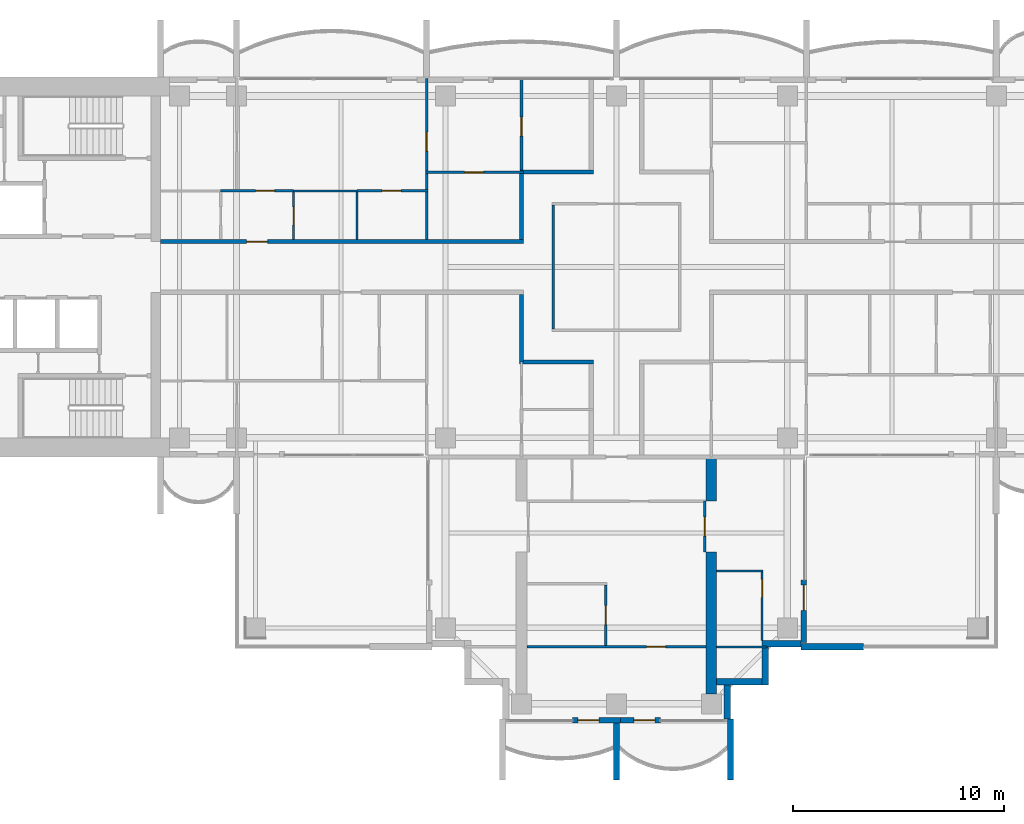
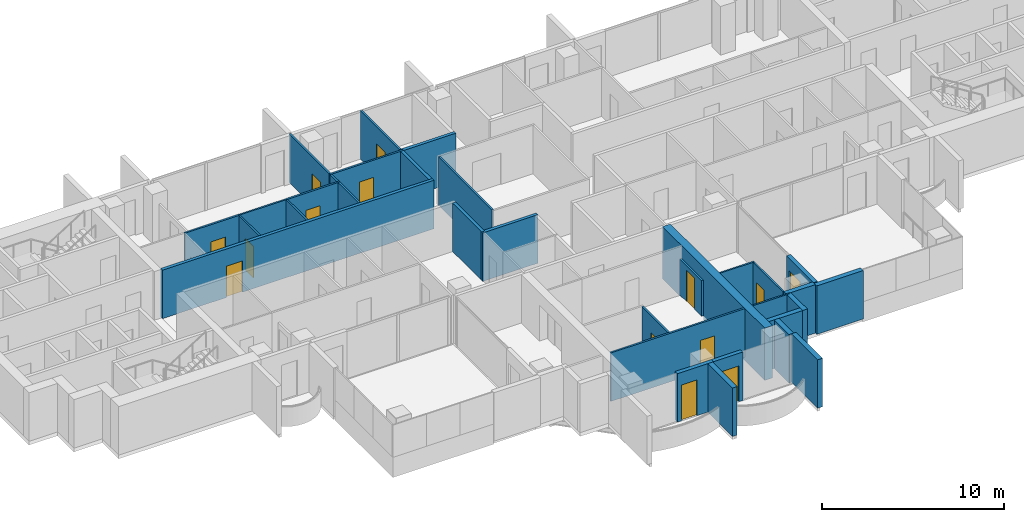
# One storey, part 10 of 17: 31 walls, 14 doors, 14 openings.
"""IFC4 building model written with IfcOpenShell, lengths in metres."""

from ifc_helpers import new_model, si_unit, direction, frame, frame_2d, origin, place, context, subcontext, project, spatial, polyline, rectangle, outline, extrude, material, layer, layer_set, material_profile, profile_set, type_object, element, fill, save


model = new_model("IFC4")

# Units and contexts
model_context = context("Model", 3, precision=1e-05, world=origin(), true_north=direction((0.0, 1.0)))
body_context = subcontext(model_context, "Body", "Model", "MODEL_VIEW")
ifc_project = project(units=[si_unit("LENGTHUNIT", "METRE"), si_unit("AREAUNIT", "SQUARE_METRE"), si_unit("VOLUMEUNIT", "CUBIC_METRE"), si_unit("PLANEANGLEUNIT", "RADIAN"), si_unit("MASSUNIT", "GRAM", prefix="KILO")], contexts=[model_context])

# Site, building, storey
site_placement = place(None, origin())
site = spatial("IfcSite", under=ifc_project, at=site_placement, CompositionType="ELEMENT")
building_placement = place(site_placement, origin())
building = spatial("IfcBuilding", under=site, at=building_placement, Name="Perihelion Cross Residences", CompositionType="ELEMENT")
storey_placement = place(building_placement, frame((0.0, 0.0, 212.10009765625)))
storey = spatial("IfcBuildingStorey", under=building, at=storey_placement, Name="L53", CompositionType="ELEMENT", Elevation=212.10009765625)

# Wall, opening, door
ifc_material_1 = material(Name="Plasterboard partition")
ifc_layer_1 = layer(ifc_material_1, 0.199951171875)
ifc_layer_set_1 = layer_set([ifc_layer_1], Name="Apartment separation wall 200")
wall_type_1 = type_object("IfcWallType", Name="Apartment separation wall 200", PredefinedType="PARTITIONING", material=ifc_layer_set_1)
wall_1_placement = place(storey_placement, frame((-21.60009765625, 1.199951171875, 0.0), z_axis=(0.0, 0.0, 1.0), x_axis=(1.0, 0.0, 0.0)))
wall_1 = element("IfcWall", 1, at=wall_1_placement, inside=storey, type_object=wall_type_1, Name="Partition L53 W013", PredefinedType="PARTITIONING", context=body_context, shape_type="SweptSolid", body=[
    extrude(rectangle(XDim=17.2001953125, YDim=0.199951171875, at=frame_2d((8.60009765625, 0.0))), origin(), (0.0, 0.0, 1.0), 3.25),
])
opening_1_placement = place(wall_1_placement, frame((4.074951171875, 0.0, 0.0)))
opening_1 = element("IfcOpeningElement", 2, at=opening_1_placement, cuts=wall_1, Name="Opening L53.A43", PredefinedType="OPENING", context=body_context, shape_type="SweptSolid", body=[
    extrude(rectangle(XDim=1.0, YDim=2.10009765625, at=frame_2d((0.5, 1.050048828125))), frame((0.0, 0.10986328125, 0.0), z_axis=(0.0, -1.0, 0.0), x_axis=(1.0, 0.0, 0.0)), (0.0, 0.0, 1.0), 0.219970703125),
])
ifc_material_2 = material(Name="Timber door leaf", Category="wood")
door_type_1 = type_object("IfcDoorType", Name="Flat entrance door 1000 x 2100", OperationType="SINGLE_SWING_LEFT", PredefinedType="DOOR", material=ifc_material_2)
door_1_placement = place(opening_1_placement, origin())
door_1 = element("IfcDoor", 3, at=door_1_placement, inside=storey, type_object=door_type_1, Name="Door L53.A43", OperationType="SINGLE_SWING_LEFT", OverallHeight=2.10009765625, OverallWidth=1.0, PredefinedType="DOOR", context=body_context, shape_type="SweptSolid", body=[
    extrude(rectangle(XDim=1.0, YDim=2.10009765625, at=frame_2d((0.5, 1.050048828125))), frame((0.0, 0.02490234375, 0.0), z_axis=(0.0, -1.0, 0.0), x_axis=(1.0, 0.0, 0.0)), (0.0, 0.0, 1.0), 0.050048828125),
])
fill(opening_1, door_1)

# Walls
wall_2_placement = place(storey_placement, frame((-4.5, 1.300048828125, 0.0), z_axis=(0.0, 0.0, 1.0), x_axis=(0.0, 1.0, 0.0)))
element("IfcWall", 4, at=wall_2_placement, inside=storey, type_object=wall_type_1, Name="Partition L53 W014", PredefinedType="PARTITIONING", context=body_context, shape_type="SweptSolid", body=[
    extrude(rectangle(XDim=3.115966796875, YDim=0.199951171875, at=frame_2d((1.55810546875, 0.0))), origin(), (0.0, 0.0, 1.0), 3.25),
])
wall_3_placement = place(storey_placement, frame((-4.56005859375, 4.5, 0.0), z_axis=(0.0, 0.0, 1.0), x_axis=(1.0, 0.0, 0.0)))
element("IfcWall", 5, at=wall_3_placement, inside=storey, type_object=wall_type_1, Name="Partition L53 W015", PredefinedType="PARTITIONING", context=body_context, shape_type="SweptSolid", body=[
    extrude(rectangle(XDim=3.4599609375, YDim=0.199951171875, at=frame_2d((1.72998046875, 0.0))), origin(), (0.0, 0.0, 1.0), 3.25),
])
wall_4_placement = place(storey_placement, frame((-4.5, -4.5, 0.0), z_axis=(0.0, 0.0, 1.0), x_axis=(0.0, 1.0, 0.0)))
element("IfcWall", 6, at=wall_4_placement, inside=storey, type_object=wall_type_1, Name="Partition L53 W018", PredefinedType="PARTITIONING", context=body_context, shape_type="SweptSolid", body=[
    extrude(rectangle(XDim=3.199951171875, YDim=0.199951171875, at=frame_2d((1.60009765625, 0.0))), origin(), (0.0, 0.0, 1.0), 3.25),
])
wall_5_placement = place(storey_placement, frame((-1.10009765625, -4.5, 0.0), z_axis=(0.0, 0.0, 1.0), x_axis=(-1.0, 0.0, 0.0)))
element("IfcWall", 7, at=wall_5_placement, inside=storey, type_object=wall_type_1, Name="Partition L53 W020", PredefinedType="PARTITIONING", context=body_context, shape_type="SweptSolid", body=[
    extrude(rectangle(XDim=3.5, YDim=0.199951171875, at=frame_2d((1.75, 0.0))), origin(), (0.0, 0.0, 1.0), 3.25),
])

# Wall, opening, door
ifc_material_3 = material(Name="Concrete C30/37, bronze-clad", Category="concrete")
ifc_layer_2 = layer(ifc_material_3, 0.25)
ifc_layer_set_2 = layer_set([ifc_layer_2], Name="Bronze-clad pier wall 250")
wall_type_2 = type_object("IfcWallType", Name="Bronze-clad pier wall 250", PredefinedType="SOLIDWALL", material=ifc_layer_set_2)
wall_6_placement = place(storey_placement, frame((-2.074951171875, -21.47509765625, 0.0), z_axis=(0.0, 0.0, 1.0), x_axis=(1.0, 0.0, 0.0)))
wall_6 = element("IfcWall", 8, at=wall_6_placement, inside=storey, type_object=wall_type_2, Name="Wall FW1 L53 south tip south bay 1 pier", PredefinedType="SOLIDWALL", context=body_context, shape_type="SweptSolid", body=[
    extrude(rectangle(XDim=2.27490234375, YDim=0.25, at=frame_2d((1.137451171875, 0.0))), origin(), (0.0, 0.0, 1.0), 3.25),
])
opening_2_placement = place(wall_6_placement, frame((0.25, 0.0, 0.0)))
opening_2 = element("IfcOpeningElement", 9, at=opening_2_placement, cuts=wall_6, Name="Opening L53.E10", PredefinedType="OPENING", context=body_context, shape_type="SweptSolid", body=[
    extrude(rectangle(XDim=1.0, YDim=2.39990234375, at=frame_2d((0.5, 1.199951171875))), frame((0.0, 0.135009765625, 0.0), z_axis=(0.0, -1.0, 0.0), x_axis=(1.0, 0.0, 0.0)), (0.0, 0.0, 1.0), 0.27001953125),
])
ifc_material_4 = material(Name="Bronze anodised aluminium, glazed", Category="aluminium")
door_type_2 = type_object("IfcDoorType", Name="Balcony door 1000 x 2400", OperationType="NOTDEFINED", PredefinedType="DOOR", material=ifc_material_4)
door_2_placement = place(opening_2_placement, origin())
door_2 = element("IfcDoor", 10, at=door_2_placement, inside=storey, type_object=door_type_2, Name="Door L53.E10 south tip south bay 1", OperationType="SINGLE_SWING_RIGHT", OverallHeight=2.39990234375, OverallWidth=1.0, PredefinedType="DOOR", context=body_context, shape_type="SweptSolid", body=[
    extrude(rectangle(XDim=1.0, YDim=2.39990234375, at=frame_2d((0.5, 1.199951171875))), frame((0.0, 0.02490234375, 0.0), z_axis=(0.0, -1.0, 0.0), x_axis=(1.0, 0.0, 0.0)), (0.0, 0.0, 1.0), 0.050048828125),
])
fill(opening_2, door_2)

wall_7_placement = place(storey_placement, frame((0.199951171875, -21.47509765625, 0.0), z_axis=(0.0, 0.0, 1.0), x_axis=(1.0, 0.0, 0.0)))
wall_7 = element("IfcWall", 11, at=wall_7_placement, inside=storey, type_object=wall_type_2, Name="Wall FW1 L53 south tip south bay 2 pier", PredefinedType="SOLIDWALL", context=body_context, shape_type="SweptSolid", body=[
    extrude(rectangle(XDim=1.875, YDim=0.25, at=frame_2d((0.9375, 0.0))), origin(), (0.0, 0.0, 1.0), 3.25),
])
opening_3_placement = place(wall_7_placement, frame((0.625, 0.0, 0.0)))
opening_3 = element("IfcOpeningElement", 12, at=opening_3_placement, cuts=wall_7, Name="Opening L53.E11", PredefinedType="OPENING", context=body_context, shape_type="SweptSolid", body=[
    extrude(rectangle(XDim=1.0, YDim=2.39990234375, at=frame_2d((0.5, 1.199951171875))), frame((0.0, 0.135009765625, 0.0), z_axis=(0.0, -1.0, 0.0), x_axis=(1.0, 0.0, 0.0)), (0.0, 0.0, 1.0), 0.27001953125),
])
door_3_placement = place(opening_3_placement, origin())
door_3 = element("IfcDoor", 13, at=door_3_placement, inside=storey, type_object=door_type_2, Name="Door L53.E11 south tip south bay 2", OperationType="SINGLE_SWING_LEFT", OverallHeight=2.39990234375, OverallWidth=1.0, PredefinedType="DOOR", context=body_context, shape_type="SweptSolid", body=[
    extrude(rectangle(XDim=1.0, YDim=2.39990234375, at=frame_2d((0.5, 1.199951171875))), frame((0.0, 0.02490234375, 0.0), z_axis=(0.0, -1.0, 0.0), x_axis=(1.0, 0.0, 0.0)), (0.0, 0.0, 1.0), 0.050048828125),
])
fill(opening_3, door_3)

wall_8_placement = place(storey_placement, frame((8.875, -17.800048828125, 0.0), z_axis=(0.0, 0.0, 1.0), x_axis=(0.0, 1.0, 0.0)))
wall_8 = element("IfcWall", 14, at=wall_8_placement, inside=storey, type_object=wall_type_2, Name="Wall FW1 L53 south side east bay 1 pier", PredefinedType="SOLIDWALL", context=body_context, shape_type="SweptSolid", body=[
    extrude(rectangle(XDim=2.97509765625, YDim=0.25, at=frame_2d((1.487548828125, 0.0))), origin(), (0.0, 0.0, 1.0), 3.25),
])
opening_4_placement = place(wall_8_placement, frame((1.52490234375, 0.0, 0.0)))
opening_4 = element("IfcOpeningElement", 15, at=opening_4_placement, cuts=wall_8, Name="Opening L53.E12", PredefinedType="OPENING", context=body_context, shape_type="SweptSolid", body=[
    extrude(rectangle(XDim=1.199951171875, YDim=2.39990234375, at=frame_2d((0.60009765625, 1.199951171875))), frame((0.0, 0.135009765625, 0.0), z_axis=(0.0, -1.0, 0.0), x_axis=(1.0, 0.0, 0.0)), (0.0, 0.0, 1.0), 0.27001953125),
])
ifc_material_5 = material(Name="Bronze anodised aluminium, glazed", Category="aluminium")
door_type_3 = type_object("IfcDoorType", Name="Balcony door 1200 x 2400", OperationType="NOTDEFINED", PredefinedType="DOOR", material=ifc_material_5)
door_4_placement = place(opening_4_placement, origin())
door_4 = element("IfcDoor", 16, at=door_4_placement, inside=storey, type_object=door_type_3, Name="Door L53.E12 south side east bay 1", OperationType="SINGLE_SWING_RIGHT", OverallHeight=2.39990234375, OverallWidth=1.199951171875, PredefinedType="DOOR", context=body_context, shape_type="SweptSolid", body=[
    extrude(rectangle(XDim=1.199951171875, YDim=2.39990234375, at=frame_2d((0.60009765625, 1.199951171875))), frame((0.0, 0.02490234375, 0.0), z_axis=(0.0, -1.0, 0.0), x_axis=(1.0, 0.0, 0.0)), (0.0, 0.0, 1.0), 0.050048828125),
])
fill(opening_4, door_4)

# Walls
ifc_material_6 = material(Name="Concrete C30/37, bronze-clad", Category="concrete")
ifc_layer_3 = layer(ifc_material_6, 0.300048828125)
ifc_layer_set_3 = layer_set([ifc_layer_3], Name="Bronze-clad serration wall 300")
wall_type_3 = type_object("IfcWallType", Name="Bronze-clad serration wall 300", PredefinedType="SOLIDWALL", material=ifc_layer_set_3)
wall_9_placement = place(storey_placement, frame((5.25, -21.419921875, 0.0), z_axis=(0.0, 0.0, 1.0), x_axis=(0.0, 1.0, 0.0)))
element("IfcWall", 17, at=wall_9_placement, inside=storey, type_object=wall_type_3, Name="Wall SR1 L53 south corner south-east 1", PredefinedType="SOLIDWALL", context=body_context, shape_type="SweptSolid", body=[
    extrude(rectangle(XDim=1.619873046875, YDim=0.300048828125, at=frame_2d((0.81005859375, 0.0))), origin(), (0.0, 0.0, 1.0), 3.25),
])
wall_10_placement = place(storey_placement, frame((4.75, -19.64990234375, 0.0), z_axis=(0.0, 0.0, 1.0), x_axis=(1.0, 0.0, 0.0)))
element("IfcWall", 18, at=wall_10_placement, inside=storey, type_object=wall_type_3, Name="Wall SR1 L53 south corner south-east 2", PredefinedType="SOLIDWALL", context=body_context, shape_type="SweptSolid", body=[
    extrude(rectangle(XDim=2.14990234375, YDim=0.300048828125, at=frame_2d((1.074951171875, 0.0))), origin(), (0.0, 0.0, 1.0), 3.25),
])
wall_11_placement = place(storey_placement, frame((7.050048828125, -19.800048828125, 0.0), z_axis=(0.0, 0.0, 1.0), x_axis=(0.0, 1.0, 0.0)))
element("IfcWall", 19, at=wall_11_placement, inside=storey, type_object=wall_type_3, Name="Wall SR1 L53 south corner south-east 3", PredefinedType="SOLIDWALL", context=body_context, shape_type="SweptSolid", body=[
    extrude(rectangle(XDim=1.800048828125, YDim=0.300048828125, at=frame_2d((0.89990234375, 0.0))), origin(), (0.0, 0.0, 1.0), 3.25),
])
wall_12_placement = place(storey_placement, frame((6.89990234375, -17.85009765625, 0.0), z_axis=(0.0, 0.0, 1.0), x_axis=(1.0, 0.0, 0.0)))
element("IfcWall", 20, at=wall_12_placement, inside=storey, type_object=wall_type_3, Name="Wall SR1 L53 south corner south-east 4", PredefinedType="SOLIDWALL", context=body_context, shape_type="SweptSolid", body=[
    extrude(rectangle(XDim=1.85009765625, YDim=0.300048828125, at=frame_2d((0.925048828125, 0.0))), origin(), (0.0, 0.0, 1.0), 3.25),
])

# Wall, opening, door
ifc_material_7 = material(Name="Plasterboard partition")
ifc_layer_4 = layer(ifc_material_7, 0.1201171875)
ifc_layer_set_4 = layer_set([ifc_layer_4], Name="Infill panel 120")
wall_type_4 = type_object("IfcWallType", Name="Infill panel 120", PredefinedType="PARTITIONING", material=ifc_layer_set_4)
wall_13_placement = place(storey_placement, frame((4.18994140625, -11.10009765625, 0.0), z_axis=(0.0, 0.0, 1.0), x_axis=(0.0, -1.0, 0.0)))
wall_13 = element("IfcWall", 21, at=wall_13_placement, inside=storey, type_object=wall_type_4, Name="Partition L53 WI01", PredefinedType="PARTITIONING", context=body_context, shape_type="SweptSolid", body=[
    extrude(rectangle(XDim=2.39990234375, YDim=0.1201171875, at=frame_2d((1.199951171875, 0.0))), origin(), (0.0, 0.0, 1.0), 2.39990234375),
])
opening_5_placement = place(wall_13_placement, frame((0.75, 0.0, 0.0)))
opening_5 = element("IfcOpeningElement", 22, at=opening_5_placement, cuts=wall_13, Name="Opening L53.A45", PredefinedType="OPENING", context=body_context, shape_type="SweptSolid", body=[
    extrude(rectangle(XDim=0.89990234375, YDim=2.10009765625, at=frame_2d((0.449951171875, 1.050048828125))), frame((0.0, 0.070068359375, 0.0), z_axis=(0.0, -1.0, 0.0), x_axis=(1.0, 0.0, 0.0)), (0.0, 0.0, 1.0), 0.14013671875),
])
ifc_material_8 = material(Name="Timber door leaf", Category="wood")
door_type_4 = type_object("IfcDoorType", Name="Interior room door 900 x 2100", OperationType="SINGLE_SWING_LEFT", PredefinedType="DOOR", material=ifc_material_8)
door_5_placement = place(opening_5_placement, origin())
door_5 = element("IfcDoor", 23, at=door_5_placement, inside=storey, type_object=door_type_4, Name="Door L53.A45", OperationType="SINGLE_SWING_RIGHT", OverallHeight=2.10009765625, OverallWidth=0.89990234375, PredefinedType="DOOR", context=body_context, shape_type="SweptSolid", body=[
    extrude(rectangle(XDim=0.89990234375, YDim=2.10009765625, at=frame_2d((0.449951171875, 1.050048828125))), frame((0.0, 0.02490234375, 0.0), z_axis=(0.0, -1.0, 0.0), x_axis=(1.0, 0.0, 0.0)), (0.0, 0.0, 1.0), 0.050048828125),
])
fill(opening_5, door_5)

# Wall
ifc_material_9 = material(Name="Plasterboard partition")
ifc_layer_5 = layer(ifc_material_9, 0.1201171875)
ifc_layer_set_5 = layer_set([ifc_layer_5], Name="Partition wall 120")
wall_type_5 = type_object("IfcWallType", Name="Partition wall 120", PredefinedType="PARTITIONING", material=ifc_layer_set_5)
wall_14_placement = place(storey_placement, frame((-3.0, 2.93994140625, 0.0), z_axis=(0.0, 0.0, 1.0), x_axis=(0.0, -1.0, 0.0)))
element("IfcWall", 24, at=wall_14_placement, inside=storey, type_object=wall_type_5, Name="Partition L53 W004", PredefinedType="PARTITIONING", context=body_context, shape_type="SweptSolid", body=[
    extrude(rectangle(XDim=5.8798828125, YDim=0.1201171875, at=frame_2d((2.93994140625, 0.0))), origin(), (0.0, 0.0, 1.0), 3.25),
])

# Wall, opening, door
wall_15_placement = place(storey_placement, frame((-12.300048828125, 3.60009765625, 0.0), z_axis=(0.0, 0.0, 1.0), x_axis=(1.0, 0.0, 0.0)))
wall_15 = element("IfcWall", 25, at=wall_15_placement, inside=storey, type_object=wall_type_5, Name="Partition L53 W043", PredefinedType="PARTITIONING", context=body_context, shape_type="SweptSolid", body=[
    extrude(rectangle(XDim=3.360107421875, YDim=0.1201171875, at=frame_2d((1.68017578125, 0.0))), origin(), (0.0, 0.0, 1.0), 3.25),
])
opening_6_placement = place(wall_15_placement, frame((1.199951171875, 0.0, 0.0)))
opening_6 = element("IfcOpeningElement", 26, at=opening_6_placement, cuts=wall_15, Name="Opening L53.A21", PredefinedType="OPENING", context=body_context, shape_type="SweptSolid", body=[
    extrude(rectangle(XDim=0.89990234375, YDim=2.10009765625, at=frame_2d((0.449951171875, 1.050048828125))), frame((0.0, 0.070068359375, 0.0), z_axis=(0.0, -1.0, 0.0), x_axis=(1.0, 0.0, 0.0)), (0.0, 0.0, 1.0), 0.14013671875),
])
door_6_placement = place(opening_6_placement, origin())
door_6 = element("IfcDoor", 27, at=door_6_placement, inside=storey, type_object=door_type_4, Name="Door L53.A21", OperationType="SINGLE_SWING_RIGHT", OverallHeight=2.10009765625, OverallWidth=0.89990234375, PredefinedType="DOOR", context=body_context, shape_type="SweptSolid", body=[
    extrude(rectangle(XDim=0.89990234375, YDim=2.10009765625, at=frame_2d((0.449951171875, 1.050048828125))), frame((0.0, 0.02490234375, 0.0), z_axis=(0.0, -1.0, 0.0), x_axis=(1.0, 0.0, 0.0)), (0.0, 0.0, 1.0), 0.050048828125),
])
fill(opening_6, door_6)

wall_16_placement = place(storey_placement, frame((-9.0, 8.919921875, 0.0), z_axis=(0.0, 0.0, 1.0), x_axis=(0.0, -1.0, 0.0)))
wall_16 = element("IfcWall", 28, at=wall_16_placement, inside=storey, type_object=wall_type_5, Name="Partition L53 W044", PredefinedType="PARTITIONING", context=body_context, shape_type="SweptSolid", body=[
    extrude(rectangle(XDim=7.619873046875, YDim=0.1201171875, at=frame_2d((3.81005859375, 0.0))), origin(), (0.0, 0.0, 1.0), 3.25),
])
opening_7_placement = place(wall_16_placement, frame((2.531982421875, 0.0, 0.0)))
opening_7 = element("IfcOpeningElement", 29, at=opening_7_placement, cuts=wall_16, Name="Opening L53.A24", PredefinedType="OPENING", context=body_context, shape_type="SweptSolid", body=[
    extrude(rectangle(XDim=0.89990234375, YDim=2.10009765625, at=frame_2d((0.449951171875, 1.050048828125))), frame((0.0, 0.070068359375, 0.0), z_axis=(0.0, -1.0, 0.0), x_axis=(1.0, 0.0, 0.0)), (0.0, 0.0, 1.0), 0.14013671875),
])
door_7_placement = place(opening_7_placement, origin())
door_7 = element("IfcDoor", 30, at=door_7_placement, inside=storey, type_object=door_type_4, Name="Door L53.A24", OperationType="SINGLE_SWING_RIGHT", OverallHeight=2.10009765625, OverallWidth=0.89990234375, PredefinedType="DOOR", context=body_context, shape_type="SweptSolid", body=[
    extrude(rectangle(XDim=0.89990234375, YDim=2.10009765625, at=frame_2d((0.449951171875, 1.050048828125))), frame((0.0, 0.02490234375, 0.0), z_axis=(0.0, -1.0, 0.0), x_axis=(1.0, 0.0, 0.0)), (0.0, 0.0, 1.0), 0.050048828125),
])
fill(opening_7, door_7)

wall_17_placement = place(storey_placement, frame((-18.75, 3.60009765625, 0.0), z_axis=(0.0, 0.0, 1.0), x_axis=(1.0, 0.0, 0.0)))
wall_17 = element("IfcWall", 31, at=wall_17_placement, inside=storey, type_object=wall_type_5, Name="Partition L53 W048", PredefinedType="PARTITIONING", context=body_context, shape_type="SweptSolid", body=[
    extrude(rectangle(XDim=3.449951171875, YDim=0.1201171875, at=frame_2d((1.72509765625, 0.0))), origin(), (0.0, 0.0, 1.0), 3.25),
])
opening_8_placement = place(wall_17_placement, frame((1.64990234375, 0.0, 0.0)))
opening_8 = element("IfcOpeningElement", 32, at=opening_8_placement, cuts=wall_17, Name="Opening L53.A25", PredefinedType="OPENING", context=body_context, shape_type="SweptSolid", body=[
    extrude(rectangle(XDim=0.89990234375, YDim=2.10009765625, at=frame_2d((0.449951171875, 1.050048828125))), frame((0.0, 0.070068359375, 0.0), z_axis=(0.0, -1.0, 0.0), x_axis=(1.0, 0.0, 0.0)), (0.0, 0.0, 1.0), 0.14013671875),
])
door_8_placement = place(opening_8_placement, origin())
door_8 = element("IfcDoor", 33, at=door_8_placement, inside=storey, type_object=door_type_4, Name="Door L53.A25", OperationType="SINGLE_SWING_LEFT", OverallHeight=2.10009765625, OverallWidth=0.89990234375, PredefinedType="DOOR", context=body_context, shape_type="SweptSolid", body=[
    extrude(rectangle(XDim=0.89990234375, YDim=2.10009765625, at=frame_2d((0.449951171875, 1.050048828125))), frame((0.0, 0.02490234375, 0.0), z_axis=(0.0, -1.0, 0.0), x_axis=(1.0, 0.0, 0.0)), (0.0, 0.0, 1.0), 0.050048828125),
])
fill(opening_8, door_8)

wall_18_placement = place(storey_placement, frame((-9.06005859375, 4.47607421875, 0.0), z_axis=(0.0, 0.0, 1.0), x_axis=(1.0, 0.0, 0.0)))
wall_18 = element("IfcWall", 34, at=wall_18_placement, inside=storey, type_object=wall_type_5, Name="Partition L53 W051", PredefinedType="PARTITIONING", context=body_context, shape_type="SweptSolid", body=[
    extrude(rectangle(XDim=4.66015625, YDim=0.1201171875, at=frame_2d((2.330078125, 0.0))), origin(), (0.0, 0.0, 1.0), 3.25),
])
opening_9_placement = place(wall_18_placement, frame((1.860107421875, 0.0, 0.0)))
opening_9 = element("IfcOpeningElement", 35, at=opening_9_placement, cuts=wall_18, Name="Opening L53.A22", PredefinedType="OPENING", context=body_context, shape_type="SweptSolid", body=[
    extrude(rectangle(XDim=0.89990234375, YDim=2.10009765625, at=frame_2d((0.449951171875, 1.050048828125))), frame((0.0, 0.070068359375, 0.0), z_axis=(0.0, -1.0, 0.0), x_axis=(1.0, 0.0, 0.0)), (0.0, 0.0, 1.0), 0.14013671875),
])
door_9_placement = place(opening_9_placement, origin())
door_9 = element("IfcDoor", 36, at=door_9_placement, inside=storey, type_object=door_type_4, Name="Door L53.A22", OperationType="SINGLE_SWING_LEFT", OverallHeight=2.10009765625, OverallWidth=0.89990234375, PredefinedType="DOOR", context=body_context, shape_type="SweptSolid", body=[
    extrude(rectangle(XDim=0.89990234375, YDim=2.10009765625, at=frame_2d((0.449951171875, 1.050048828125))), frame((0.0, 0.02490234375, 0.0), z_axis=(0.0, -1.0, 0.0), x_axis=(1.0, 0.0, 0.0)), (0.0, 0.0, 1.0), 0.050048828125),
])
fill(opening_9, door_9)

wall_19_placement = place(storey_placement, frame((-4.5, 8.919921875, 0.0), z_axis=(0.0, 0.0, 1.0), x_axis=(0.0, -1.0, 0.0)))
wall_19 = element("IfcWall", 37, at=wall_19_placement, inside=storey, type_object=wall_type_5, Name="Partition L53 W052", PredefinedType="PARTITIONING", context=body_context, shape_type="SweptSolid", body=[
    extrude(rectangle(XDim=4.31982421875, YDim=0.1201171875, at=frame_2d((2.159912109375, 0.0))), origin(), (0.0, 0.0, 1.0), 3.25),
])
opening_10_placement = place(wall_19_placement, frame((1.820068359375, 0.0, 0.0)))
opening_10 = element("IfcOpeningElement", 38, at=opening_10_placement, cuts=wall_19, Name="Opening L53.A23", PredefinedType="OPENING", context=body_context, shape_type="SweptSolid", body=[
    extrude(rectangle(XDim=0.89990234375, YDim=2.10009765625, at=frame_2d((0.449951171875, 1.050048828125))), frame((0.0, 0.070068359375, 0.0), z_axis=(0.0, -1.0, 0.0), x_axis=(1.0, 0.0, 0.0)), (0.0, 0.0, 1.0), 0.14013671875),
])
door_10_placement = place(opening_10_placement, origin())
door_10 = element("IfcDoor", 39, at=door_10_placement, inside=storey, type_object=door_type_4, Name="Door L53.A23", OperationType="SINGLE_SWING_LEFT", OverallHeight=2.10009765625, OverallWidth=0.89990234375, PredefinedType="DOOR", context=body_context, shape_type="SweptSolid", body=[
    extrude(rectangle(XDim=0.89990234375, YDim=2.10009765625, at=frame_2d((0.449951171875, 1.050048828125))), frame((0.0, 0.02490234375, 0.0), z_axis=(0.0, -1.0, 0.0), x_axis=(1.0, 0.0, 0.0)), (0.0, 0.0, 1.0), 0.050048828125),
])
fill(opening_10, door_10)

wall_20_placement = place(storey_placement, frame((-0.5, -17.93994140625, 0.0), z_axis=(0.0, 0.0, 1.0), x_axis=(0.0, 1.0, 0.0)))
wall_20 = element("IfcWall", 40, at=wall_20_placement, inside=storey, type_object=wall_type_5, Name="Partition L53 W066", PredefinedType="PARTITIONING", context=body_context, shape_type="SweptSolid", body=[
    extrude(rectangle(XDim=2.8798828125, YDim=0.1201171875, at=frame_2d((1.43994140625, 0.0))), origin(), (0.0, 0.0, 1.0), 3.25),
])
opening_11_placement = place(wall_20_placement, frame((0.989990234375, 0.0, 0.0)))
opening_11 = element("IfcOpeningElement", 41, at=opening_11_placement, cuts=wall_20, Name="Opening L53.A38", PredefinedType="OPENING", context=body_context, shape_type="SweptSolid", body=[
    extrude(rectangle(XDim=0.89990234375, YDim=2.10009765625, at=frame_2d((0.449951171875, 1.050048828125))), frame((0.0, 0.070068359375, 0.0), z_axis=(0.0, -1.0, 0.0), x_axis=(1.0, 0.0, 0.0)), (0.0, 0.0, 1.0), 0.14013671875),
])
door_11_placement = place(opening_11_placement, origin())
door_11 = element("IfcDoor", 42, at=door_11_placement, inside=storey, type_object=door_type_4, Name="Door L53.A38", OperationType="SINGLE_SWING_RIGHT", OverallHeight=2.10009765625, OverallWidth=0.89990234375, PredefinedType="DOOR", context=body_context, shape_type="SweptSolid", body=[
    extrude(rectangle(XDim=0.89990234375, YDim=2.10009765625, at=frame_2d((0.449951171875, 1.050048828125))), frame((0.0, 0.02490234375, 0.0), z_axis=(0.0, -1.0, 0.0), x_axis=(1.0, 0.0, 0.0)), (0.0, 0.0, 1.0), 0.050048828125),
])
fill(opening_11, door_11)

wall_21_placement = place(storey_placement, frame((4.25, -18.0, 0.0), z_axis=(0.0, 0.0, 1.0), x_axis=(-1.0, 0.0, 0.0)))
wall_21 = element("IfcWall", 43, at=wall_21_placement, inside=storey, type_object=wall_type_5, Name="Partition L53 W068", PredefinedType="PARTITIONING", context=body_context, shape_type="SweptSolid", body=[
    extrude(rectangle(XDim=8.5, YDim=0.1201171875, at=frame_2d((4.25, 0.0))), origin(), (0.0, 0.0, 1.0), 3.25),
])
opening_12_placement = place(wall_21_placement, frame((1.925048828125, 0.0, 0.0)))
opening_12 = element("IfcOpeningElement", 44, at=opening_12_placement, cuts=wall_21, Name="Opening L53.A39", PredefinedType="OPENING", context=body_context, shape_type="SweptSolid", body=[
    extrude(rectangle(XDim=0.89990234375, YDim=2.10009765625, at=frame_2d((0.449951171875, 1.050048828125))), frame((0.0, 0.070068359375, 0.0), z_axis=(0.0, -1.0, 0.0), x_axis=(1.0, 0.0, 0.0)), (0.0, 0.0, 1.0), 0.14013671875),
])
door_12_placement = place(opening_12_placement, origin())
door_12 = element("IfcDoor", 45, at=door_12_placement, inside=storey, type_object=door_type_4, Name="Door L53.A39", OperationType="SINGLE_SWING_RIGHT", OverallHeight=2.10009765625, OverallWidth=0.89990234375, PredefinedType="DOOR", context=body_context, shape_type="SweptSolid", body=[
    extrude(rectangle(XDim=0.89990234375, YDim=2.10009765625, at=frame_2d((0.449951171875, 1.050048828125))), frame((0.0, 0.02490234375, 0.0), z_axis=(0.0, -1.0, 0.0), x_axis=(1.0, 0.0, 0.0)), (0.0, 0.0, 1.0), 0.050048828125),
])
fill(opening_12, door_12)

# Walls
ifc_material_10 = material(Name="Precast concrete C50/60", Category="concrete")
ifc_layer_6 = layer(ifc_material_10, 0.300048828125)
ifc_layer_set_6 = layer_set([ifc_layer_6], Name="Precast concrete C50/60 blade wall 300")
wall_type_6 = type_object("IfcWallType", Name="Precast concrete C50/60 blade wall 300", PredefinedType="SOLIDWALL", material=ifc_layer_set_6)
wall_22_placement = place(storey_placement, frame((0.0, -21.60009765625, 0.0), z_axis=(0.0, 0.0, 1.0), x_axis=(0.0, -1.0, 0.0)))
element("IfcWall", 46, at=wall_22_placement, inside=storey, type_object=wall_type_6, Name="Wall BL1 L53 no. 8", PredefinedType="SOLIDWALL", context=body_context, shape_type="SweptSolid", body=[
    extrude(rectangle(XDim=2.699951171875, YDim=0.300048828125, at=frame_2d((1.35009765625, 0.0))), origin(), (0.0, 0.0, 1.0), 3.25),
])
wall_23_placement = place(storey_placement, frame((5.39990234375, -21.419921875, 0.0), z_axis=(0.0, 0.0, 1.0), x_axis=(0.0, -1.0, 0.0)))
element("IfcWall", 47, at=wall_23_placement, inside=storey, type_object=wall_type_6, Name="Wall BL1 L53 no. 14", PredefinedType="SOLIDWALL", context=body_context, shape_type="SweptSolid", body=[
    extrude(rectangle(XDim=2.880126953125, YDim=0.300048828125, at=frame_2d((1.43994140625, 0.0))), origin(), (0.0, 0.0, 1.0), 3.25),
])
wall_24_placement = place(storey_placement, frame((8.75, -18.0, 0.0), z_axis=(0.0, 0.0, 1.0), x_axis=(1.0, 0.0, 0.0)))
element("IfcWall", 48, at=wall_24_placement, inside=storey, type_object=wall_type_6, Name="Wall BL1 L53 no. 15", PredefinedType="SOLIDWALL", context=body_context, shape_type="SweptSolid", body=[
    extrude(rectangle(XDim=2.949951171875, YDim=0.300048828125, at=frame_2d((1.47509765625, 0.0))), origin(), (0.0, 0.0, 1.0), 3.25),
])
ifc_material_11 = material(Name="Concrete C60/75", Category="concrete")
ifc_material_profile = material_profile(ifc_material_11, outline(polyline([(0.0, 0.0), (6.72509765625, 0.0), (6.72509765625, 2.64990234375), (9.125, 2.64990234375), (9.125, 0.0), (11.22509765625, 0.0), (11.22509765625, 3.5), (0.0, 3.5), (0.0, 0.0)])), Name="Tip spine wall")
ifc_profile_set = profile_set([ifc_material_profile], Name="Concrete C60/75")
wall_type_7 = type_object("IfcWallType", Name="Tip spine wall 500 with 1 door openings 11225 long 3500 high concrete C60/75", PredefinedType="SHEAR", material=ifc_profile_set)
wall_25_placement = place(storey_placement, frame((4.25, -20.22509765625, -0.25), z_axis=(1.0, 0.0, 0.0), x_axis=(0.0, 1.0, 0.0)))
element("IfcWall", 49, at=wall_25_placement, inside=storey, type_object=wall_type_7, Name="Shear wall SW41 L53 south east", PredefinedType="SHEAR", context=body_context, shape_type="SweptSolid", body=[
    extrude(outline(polyline([(0.0, 0.0), (6.72509765625, 0.0), (6.72509765625, 2.64990234375), (9.125, 2.64990234375), (9.125, 0.0), (11.22509765625, 0.0), (11.22509765625, 3.5), (0.0, 3.5), (0.0, 0.0)])), origin(), (0.0, 0.0, 1.0), 0.5),
])
ifc_material_12 = material(Name="Plasterboard partition")
ifc_layer_7 = layer(ifc_material_12, 0.10009765625)
ifc_layer_set_7 = layer_set([ifc_layer_7], Name="Wet room wall 100")
wall_type_8 = type_object("IfcWallType", Name="Wet room wall 100", PredefinedType="PARTITIONING", material=ifc_layer_set_7)
wall_26_placement = place(storey_placement, frame((-12.300048828125, 1.300048828125, 0.0), z_axis=(0.0, 0.0, 1.0), x_axis=(0.0, 1.0, 0.0)))
element("IfcWall", 50, at=wall_26_placement, inside=storey, type_object=wall_type_8, Name="Partition L53 W042", PredefinedType="PARTITIONING", context=body_context, shape_type="SweptSolid", body=[
    extrude(rectangle(XDim=2.239990234375, YDim=0.10009765625, at=frame_2d((1.1201171875, 0.0))), origin(), (0.0, 0.0, 1.0), 3.25),
])

# Wall, opening, door
wall_27_placement = place(storey_placement, frame((-15.300048828125, 1.300048828125, 0.0), z_axis=(0.0, 0.0, 1.0), x_axis=(0.0, 1.0, 0.0)))
wall_27 = element("IfcWall", 51, at=wall_27_placement, inside=storey, type_object=wall_type_8, Name="Partition L53 W045", PredefinedType="PARTITIONING", context=body_context, shape_type="SweptSolid", body=[
    extrude(rectangle(XDim=2.239990234375, YDim=0.10009765625, at=frame_2d((1.1201171875, 0.0))), origin(), (0.0, 0.0, 1.0), 3.25),
])
opening_13_placement = place(wall_27_placement, frame((0.695068359375, 0.0, 0.0)))
opening_13 = element("IfcOpeningElement", 52, at=opening_13_placement, cuts=wall_27, Name="Opening L53.A26", PredefinedType="OPENING", context=body_context, shape_type="SweptSolid", body=[
    extrude(rectangle(XDim=0.85009765625, YDim=2.10009765625, at=frame_2d((0.425048828125, 1.050048828125))), frame((0.0, 0.06005859375, 0.0), z_axis=(0.0, -1.0, 0.0), x_axis=(1.0, 0.0, 0.0)), (0.0, 0.0, 1.0), 0.1201171875),
])
ifc_material_13 = material(Name="Timber door leaf", Category="wood")
door_type_5 = type_object("IfcDoorType", Name="Interior bathroom door 850 x 2100", OperationType="SINGLE_SWING_LEFT", PredefinedType="DOOR", material=ifc_material_13)
door_13_placement = place(opening_13_placement, origin())
door_13 = element("IfcDoor", 53, at=door_13_placement, inside=storey, type_object=door_type_5, Name="Door L53.A26", OperationType="SINGLE_SWING_RIGHT", OverallHeight=2.10009765625, OverallWidth=0.85009765625, PredefinedType="DOOR", context=body_context, shape_type="SweptSolid", body=[
    extrude(rectangle(XDim=0.85009765625, YDim=2.10009765625, at=frame_2d((0.425048828125, 1.050048828125))), frame((0.0, 0.02490234375, 0.0), z_axis=(0.0, -1.0, 0.0), x_axis=(1.0, 0.0, 0.0)), (0.0, 0.0, 1.0), 0.050048828125),
])
fill(opening_13, door_13)

# Wall
wall_28_placement = place(storey_placement, frame((-15.300048828125, 3.60009765625, 0.0), z_axis=(0.0, 0.0, 1.0), x_axis=(1.0, 0.0, 0.0)))
element("IfcWall", 54, at=wall_28_placement, inside=storey, type_object=wall_type_8, Name="Partition L53 W046", PredefinedType="PARTITIONING", context=body_context, shape_type="SweptSolid", body=[
    extrude(rectangle(XDim=3.0, YDim=0.10009765625, at=frame_2d((1.5, 0.0))), origin(), (0.0, 0.0, 1.0), 3.25),
])

# Wall, opening, door
wall_29_placement = place(storey_placement, frame((6.89990234375, -17.699951171875, 0.0), z_axis=(0.0, 0.0, 1.0), x_axis=(0.0, 1.0, 0.0)))
wall_29 = element("IfcWall", 55, at=wall_29_placement, inside=storey, type_object=wall_type_8, Name="Partition L53 W069", PredefinedType="PARTITIONING", context=body_context, shape_type="SweptSolid", body=[
    extrude(rectangle(XDim=3.25, YDim=0.10009765625, at=frame_2d((1.625, 0.0))), origin(), (0.0, 0.0, 1.0), 3.25),
])
opening_14_placement = place(wall_29_placement, frame((2.050048828125, 0.0, 0.0)))
opening_14 = element("IfcOpeningElement", 56, at=opening_14_placement, cuts=wall_29, Name="Opening L53.A40", PredefinedType="OPENING", context=body_context, shape_type="SweptSolid", body=[
    extrude(rectangle(XDim=0.85009765625, YDim=2.10009765625, at=frame_2d((0.425048828125, 1.050048828125))), frame((0.0, 0.06005859375, 0.0), z_axis=(0.0, -1.0, 0.0), x_axis=(1.0, 0.0, 0.0)), (0.0, 0.0, 1.0), 0.1201171875),
])
door_14_placement = place(opening_14_placement, origin())
door_14 = element("IfcDoor", 57, at=door_14_placement, inside=storey, type_object=door_type_5, Name="Door L53.A40", OperationType="SINGLE_SWING_LEFT", OverallHeight=2.10009765625, OverallWidth=0.85009765625, PredefinedType="DOOR", context=body_context, shape_type="SweptSolid", body=[
    extrude(rectangle(XDim=0.85009765625, YDim=2.10009765625, at=frame_2d((0.425048828125, 1.050048828125))), frame((0.0, 0.02490234375, 0.0), z_axis=(0.0, -1.0, 0.0), x_axis=(1.0, 0.0, 0.0)), (0.0, 0.0, 1.0), 0.050048828125),
])
fill(opening_14, door_14)

# Walls
wall_30_placement = place(storey_placement, frame((6.949951171875, -14.39990234375, 0.0), z_axis=(0.0, 0.0, 1.0), x_axis=(-1.0, 0.0, 0.0)))
element("IfcWall", 58, at=wall_30_placement, inside=storey, type_object=wall_type_8, Name="Partition L53 W070", PredefinedType="PARTITIONING", context=body_context, shape_type="SweptSolid", body=[
    extrude(rectangle(XDim=2.199951171875, YDim=0.10009765625, at=frame_2d((1.10009765625, 0.0))), origin(), (0.0, 0.0, 1.0), 3.25),
])
wall_31_placement = place(storey_placement, frame((7.1201171875, -18.0, 0.0), z_axis=(0.0, 0.0, 1.0), x_axis=(-1.0, 0.0, 0.0)))
element("IfcWall", 59, at=wall_31_placement, inside=storey, type_object=wall_type_8, Name="Partition L53 W071", PredefinedType="PARTITIONING", context=body_context, shape_type="SweptSolid", body=[
    extrude(rectangle(XDim=2.3701171875, YDim=0.10009765625, at=frame_2d((1.18505859375, 0.0))), origin(), (0.0, 0.0, 1.0), 3.25),
])

save(model, "model.ifc")
